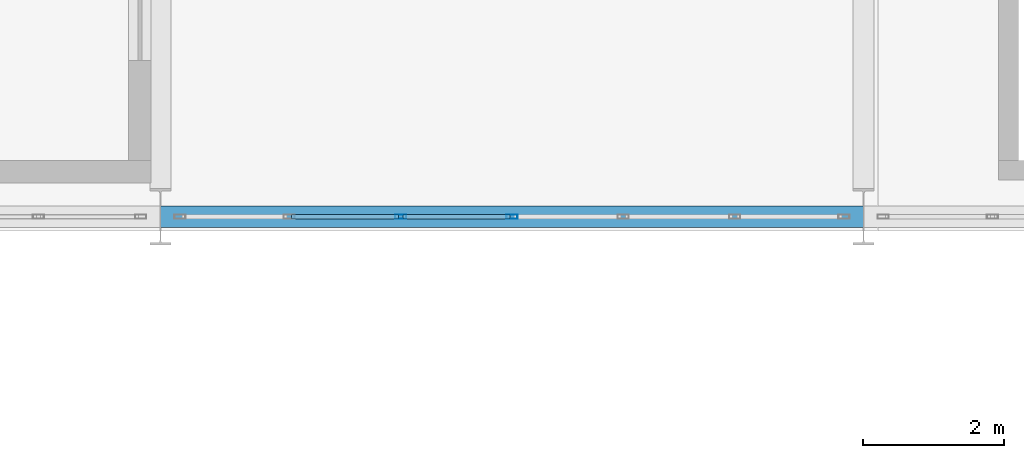
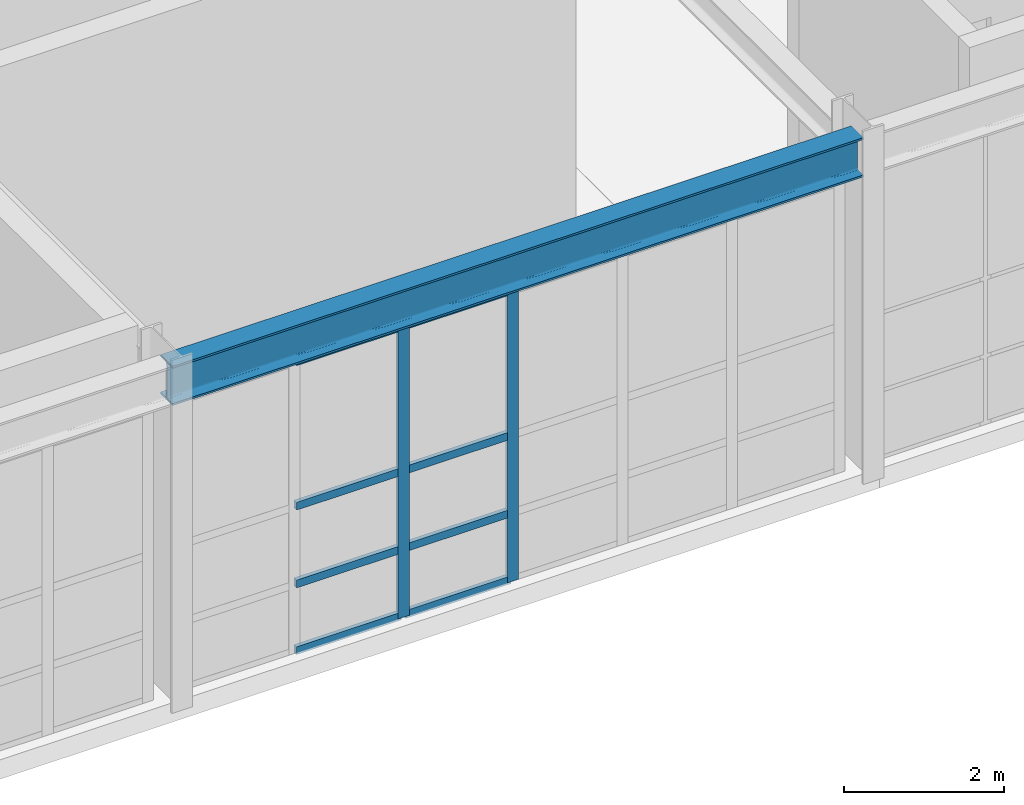
# One storey, part 110 of 210: 10 members, 1 beam, 1 element without a shape of its own.
"""IFC4 building model written with IfcOpenShell, lengths in metres."""

from ifc_helpers import new_model, si_unit, direction, frame, origin, origin_2d, place, context, subcontext, project, spatial, hollow_rectangle, i_section, extrude, material, material_profile, profile_set, type_object, element, aggregate, save


model = new_model("IFC4")

# Units and contexts
model_context = context("Model", 3, precision=1e-05, world=origin(), true_north=direction((0.0, 1.0)))
body_context = subcontext(model_context, "Body", "Model", "MODEL_VIEW")
ifc_project = project(units=[si_unit("LENGTHUNIT", "METRE"), si_unit("AREAUNIT", "SQUARE_METRE"), si_unit("VOLUMEUNIT", "CUBIC_METRE"), si_unit("PLANEANGLEUNIT", "RADIAN"), si_unit("MASSUNIT", "GRAM", prefix="KILO")], contexts=[model_context])

# Site, building, storey
site_placement = place(None, origin())
site = spatial("IfcSite", under=ifc_project, at=site_placement, CompositionType="ELEMENT")
building_placement = place(site_placement, origin())
building = spatial("IfcBuilding", under=site, at=building_placement, Name="Kaldris Quays Convention Centre", CompositionType="ELEMENT")
storey_placement = place(building_placement, frame((0.0, 0.0, 6.0)))
storey = spatial("IfcBuildingStorey", under=building, at=storey_placement, Name="L01", CompositionType="ELEMENT", Elevation=6.0)

# Curtain wall, members
ifc_material_1 = material(Name="Anodized aluminium AW-6060 and triple glazing", Category="aluminium")
curtain_wall_type = type_object("IfcCurtainWallType", Name="UNITISED CURTAIN WALL CW01", PredefinedType="NOTDEFINED", material=ifc_material_1)
curtain_wall_placement = place(storey_placement, origin())
curtain_wall = element("IfcCurtainWall", 1, at=curtain_wall_placement, inside=storey, type_object=curtain_wall_type, Name="L01 Unitised Curtain Wall CW01 23", PredefinedType="NOTDEFINED")
ifc_material_2 = material(Name="Anodized aluminium AW-6060", Category="aluminium")
ifc_material_profile_1 = material_profile(ifc_material_2, hollow_rectangle(XDim=0.06005859375, YDim=0.159912109375, WallThickness=0.00390625, at=origin_2d()), Name="RHS 160x60x4")
ifc_profile_set_1 = profile_set([ifc_material_profile_1], Name="Anodized aluminium AW-6060")
member_type_1 = type_object("IfcMemberType", Name="CURTAIN MULLION CWM1", PredefinedType="MULLION", material=ifc_profile_set_1)
member_1_placement = place(storey_placement, frame((177.416748046875, 56.0, 0.0), z_axis=(0.0, 0.0, 1.0), x_axis=(0.0, 1.0, 0.0)))
member_1 = element("IfcMember", 2, at=member_1_placement, type_object=member_type_1, Name="CW01 mullion 3", PredefinedType="MULLION", context=body_context, shape_type="SweptSolid", body=[
    extrude(hollow_rectangle(XDim=0.06005859375, YDim=0.159912109375, WallThickness=0.00390625, at=origin_2d()), origin(), (0.0, 0.0, 1.0), 4.47802734375),
])
member_2_placement = place(storey_placement, frame((179.0, 56.0, 0.0), z_axis=(0.0, 0.0, 1.0), x_axis=(0.0, 1.0, 0.0)))
member_2 = element("IfcMember", 3, at=member_2_placement, type_object=member_type_1, Name="CW01 mullion 4", PredefinedType="MULLION", context=body_context, shape_type="SweptSolid", body=[
    extrude(hollow_rectangle(XDim=0.06005859375, YDim=0.159912109375, WallThickness=0.00390625, at=origin_2d()), origin(), (0.0, 0.0, 1.0), 4.47802734375),
])
ifc_material_profile_2 = material_profile(ifc_material_2, hollow_rectangle(XDim=0.06005859375, YDim=0.1201171875, WallThickness=0.00390625, at=origin_2d()), Name="RHS 120x60x4")
ifc_profile_set_2 = profile_set([ifc_material_profile_2], Name="Anodized aluminium AW-6060")
member_type_2 = type_object("IfcMemberType", Name="CURTAIN TRANSOM CWT1", PredefinedType="USERDEFINED", material=ifc_profile_set_2)
member_3_placement = place(storey_placement, frame((175.86328125, 56.0, 0.030029296875), z_axis=(1.0, 0.0, 0.0), x_axis=(0.0, 1.0, 0.0)))
member_3 = element("IfcMember", 4, at=member_3_placement, type_object=member_type_2, Name="CW01 transom 2.1", ObjectType="TRANSOM", PredefinedType="USERDEFINED", context=body_context, shape_type="SweptSolid", body=[
    extrude(hollow_rectangle(XDim=0.06005859375, YDim=0.1201171875, WallThickness=0.00390625, at=origin_2d()), origin(), (0.0, 0.0, 1.0), 1.5234375),
])
member_4_placement = place(storey_placement, frame((175.86328125, 56.0, 1.050048828125), z_axis=(1.0, 0.0, 0.0), x_axis=(0.0, 1.0, 0.0)))
member_4 = element("IfcMember", 5, at=member_4_placement, type_object=member_type_2, Name="CW01 transom 2.2", ObjectType="TRANSOM", PredefinedType="USERDEFINED", context=body_context, shape_type="SweptSolid", body=[
    extrude(hollow_rectangle(XDim=0.06005859375, YDim=0.1201171875, WallThickness=0.00390625, at=origin_2d()), origin(), (0.0, 0.0, 1.0), 1.5234375),
])
member_5_placement = place(storey_placement, frame((175.86328125, 56.0, 2.239013671875), z_axis=(1.0, 0.0, 0.0), x_axis=(0.0, 1.0, 0.0)))
member_5 = element("IfcMember", 6, at=member_5_placement, type_object=member_type_2, Name="CW01 transom 2.3", ObjectType="TRANSOM", PredefinedType="USERDEFINED", context=body_context, shape_type="SweptSolid", body=[
    extrude(hollow_rectangle(XDim=0.06005859375, YDim=0.1201171875, WallThickness=0.00390625, at=origin_2d()), origin(), (0.0, 0.0, 1.0), 1.5234375),
])
member_6_placement = place(storey_placement, frame((175.86328125, 56.0, 4.447998046875), z_axis=(1.0, 0.0, 0.0), x_axis=(0.0, 1.0, 0.0)))
member_6 = element("IfcMember", 7, at=member_6_placement, type_object=member_type_2, Name="CW01 transom 2.4", ObjectType="TRANSOM", PredefinedType="USERDEFINED", context=body_context, shape_type="SweptSolid", body=[
    extrude(hollow_rectangle(XDim=0.06005859375, YDim=0.1201171875, WallThickness=0.00390625, at=origin_2d()), origin(), (0.0, 0.0, 1.0), 1.5234375),
])
member_7_placement = place(storey_placement, frame((177.44677734375, 56.0, 0.030029296875), z_axis=(1.0, 0.0, 0.0), x_axis=(0.0, 1.0, 0.0)))
member_7 = element("IfcMember", 8, at=member_7_placement, type_object=member_type_2, Name="CW01 transom 3.1", ObjectType="TRANSOM", PredefinedType="USERDEFINED", context=body_context, shape_type="SweptSolid", body=[
    extrude(hollow_rectangle(XDim=0.06005859375, YDim=0.1201171875, WallThickness=0.00390625, at=origin_2d()), origin(), (0.0, 0.0, 1.0), 1.523193359375),
])
member_8_placement = place(storey_placement, frame((177.44677734375, 56.0, 1.050048828125), z_axis=(1.0, 0.0, 0.0), x_axis=(0.0, 1.0, 0.0)))
member_8 = element("IfcMember", 9, at=member_8_placement, type_object=member_type_2, Name="CW01 transom 3.2", ObjectType="TRANSOM", PredefinedType="USERDEFINED", context=body_context, shape_type="SweptSolid", body=[
    extrude(hollow_rectangle(XDim=0.06005859375, YDim=0.1201171875, WallThickness=0.00390625, at=origin_2d()), origin(), (0.0, 0.0, 1.0), 1.523193359375),
])
member_9_placement = place(storey_placement, frame((177.44677734375, 56.0, 2.239013671875), z_axis=(1.0, 0.0, 0.0), x_axis=(0.0, 1.0, 0.0)))
member_9 = element("IfcMember", 10, at=member_9_placement, type_object=member_type_2, Name="CW01 transom 3.3", ObjectType="TRANSOM", PredefinedType="USERDEFINED", context=body_context, shape_type="SweptSolid", body=[
    extrude(hollow_rectangle(XDim=0.06005859375, YDim=0.1201171875, WallThickness=0.00390625, at=origin_2d()), origin(), (0.0, 0.0, 1.0), 1.523193359375),
])
member_10_placement = place(storey_placement, frame((177.44677734375, 56.0, 4.447998046875), z_axis=(1.0, 0.0, 0.0), x_axis=(0.0, 1.0, 0.0)))
member_10 = element("IfcMember", 11, at=member_10_placement, type_object=member_type_2, Name="CW01 transom 3.4", ObjectType="TRANSOM", PredefinedType="USERDEFINED", context=body_context, shape_type="SweptSolid", body=[
    extrude(hollow_rectangle(XDim=0.06005859375, YDim=0.1201171875, WallThickness=0.00390625, at=origin_2d()), origin(), (0.0, 0.0, 1.0), 1.523193359375),
])
aggregate(curtain_wall, [member_1, member_2, member_3, member_4, member_5, member_6, member_7, member_8, member_9, member_10])

# Beam
ifc_material_3 = material(Name="Steel S355J2", Category="steel")
ifc_material_profile_3 = material_profile(ifc_material_3, i_section(OverallWidth=0.300048828125, OverallDepth=0.60009765625, WebThickness=0.015380859375, FlangeThickness=0.030029296875, FilletRadius=0.027099609375, at=origin_2d()), Name="HEB 600")
ifc_profile_set_3 = profile_set([ifc_material_profile_3], Name="Steel S355J2")
beam_type = type_object("IfcBeamType", Name="STRUCTURAL BEAM BM05", PredefinedType="BEAM", material=ifc_profile_set_3)
beam_placement = place(storey_placement, frame((174.002685546875, 56.0, 4.802978515625), z_axis=(1.0, 0.0, 0.0), x_axis=(0.0, 1.0, 0.0)))
element("IfcBeam", 12, at=beam_placement, inside=storey, type_object=beam_type, Name="L01 Girder BM05 2", PredefinedType="BEAM", context=body_context, shape_type="SweptSolid", body=[
    extrude(i_section(OverallWidth=0.300048828125, OverallDepth=0.60009765625, WebThickness=0.015380859375, FlangeThickness=0.030029296875, FilletRadius=0.027099609375, at=origin_2d()), origin(), (0.0, 0.0, 1.0), 9.99462890625),
])

save(model, "model.ifc")
